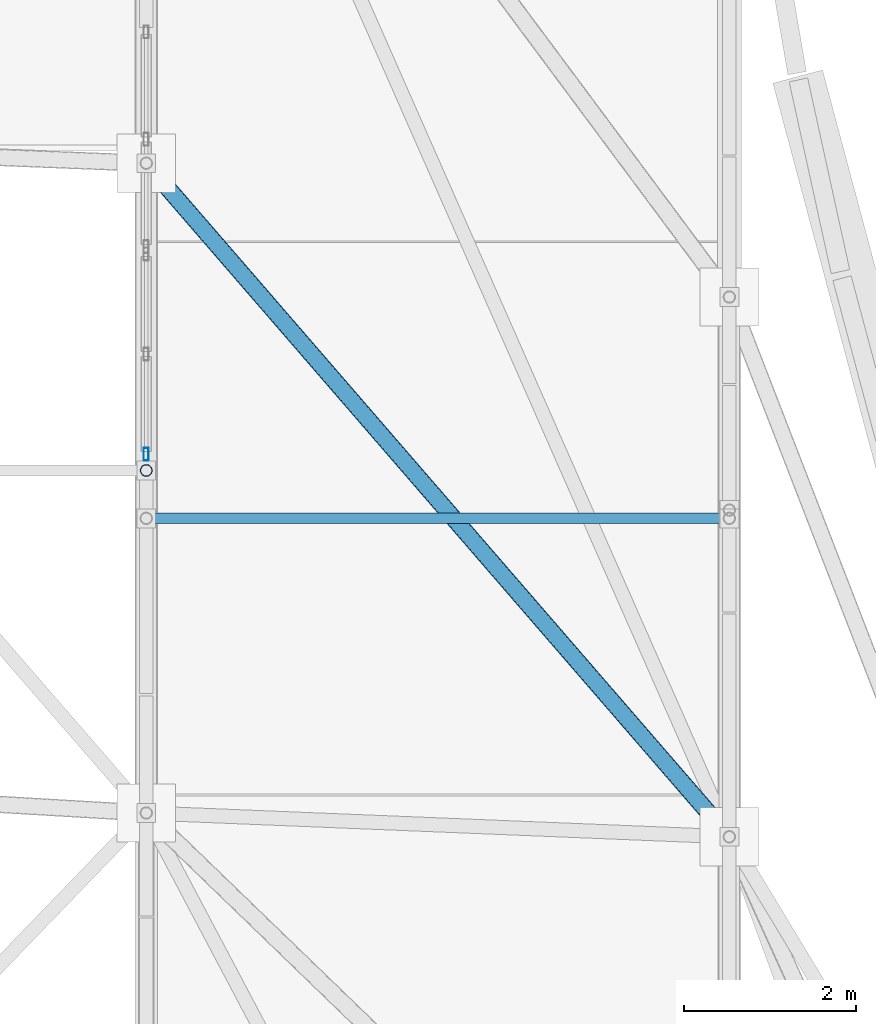
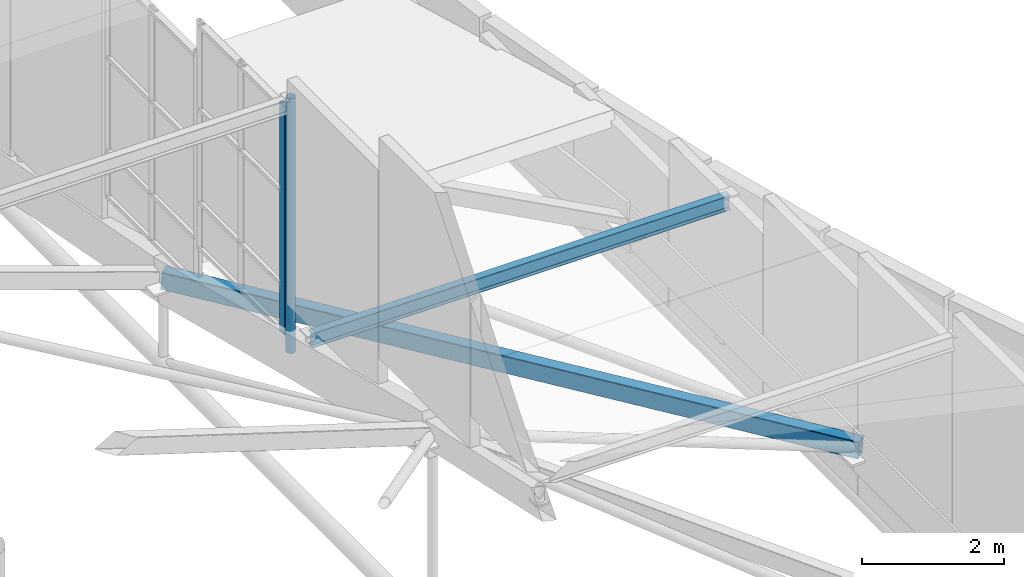
# One storey, part 53 of 188: 4 members, 1 element without a shape of its own.
"""IFC4 building model written with IfcOpenShell, lengths in metres."""

import ifcopenshell
import ifcopenshell.guid

model = None  # the IFC model being written
_history = None  # IfcOwnerHistory: only IFC2X3 demands one
_inside = {}  # id of a spatial element -> (the spatial element, [elements in it])
_under = {}  # id of a project, library or spatial element -> (it, [spatial elements below it])
_declared = {}  # id of a project -> (the project, [libraries it declares])
_typed = {}  # id of a type object -> (the type object, [elements of that type])
_made_of = {}  # id of a material, layer set ... -> (it, [elements and type objects made of it])


def new_model(schema):
    """Start an empty IFC model of exactly this schema.

    Asked for "IFC4X3", IfcOpenShell would pick the latest addendum, in which some entities
    have other attributes; the version numbers below select the first issue.
    IFC2X3 requires an IfcOwnerHistory on every rooted entity: one is made here for all.
    """
    global model, _history
    if schema == "IFC4X3":
        model = ifcopenshell.file(schema_version=(4, 3, 0, 0))
    else:
        model = ifcopenshell.file(schema=schema)
    _inside.clear()
    _under.clear()
    _declared.clear()
    _typed.clear()
    _made_of.clear()
    _history = None
    if model.schema == "IFC2X3":
        org = make("IfcOrganization", Name="unknown")
        user = make(
            "IfcPersonAndOrganization",
            ThePerson=make("IfcPerson", FamilyName="unknown"),
            TheOrganization=org,
        )
        app = make(
            "IfcApplication",
            ApplicationDeveloper=org,
            Version="unknown",
            ApplicationFullName="unknown",
            ApplicationIdentifier="unknown",
        )
        _history = make(
            "IfcOwnerHistory",
            OwningUser=user,
            OwningApplication=app,
            ChangeAction="ADDED",
            CreationDate=0,
        )
    return model


def make(cls, **values):
    """One entity of the class cls with the attributes given. An attribute that is None is left unset."""
    return model.create_entity(
        cls, **{name: value for name, value in values.items() if value is not None}
    )


def rooted(cls, **values):
    """An entity with a GlobalId (a new one), such as an element, a storey or a relation."""
    return make(cls, GlobalId=ifcopenshell.guid.new(), OwnerHistory=_history, **values)


def si_unit(unit_type, name, prefix=None):
    """IfcSIUnit, for example si_unit("LENGTHUNIT", "METRE", prefix="MILLI")."""
    return make("IfcSIUnit", UnitType=unit_type, Prefix=prefix, Name=name)


def assignment(units):
    """IfcUnitAssignment: the units of a project."""
    return None if units is None else make("IfcUnitAssignment", Units=units)


def point(xyz):
    """IfcCartesianPoint."""
    return None if xyz is None else make("IfcCartesianPoint", Coordinates=xyz)


def direction(xyz):
    """IfcDirection."""
    return None if xyz is None else make("IfcDirection", DirectionRatios=xyz)


def frame(location, z_axis=None, x_axis=None):
    """IfcAxis2Placement3D, a coordinate frame: its origin and axes. An axis left out is left unset."""
    return make(
        "IfcAxis2Placement3D",
        Location=point(location),
        Axis=direction(z_axis),
        RefDirection=direction(x_axis),
    )


def frame_2d(location, x_axis=None):
    """IfcAxis2Placement2D, a coordinate frame in the plane: its origin and x axis."""
    return make(
        "IfcAxis2Placement2D", Location=point(location), RefDirection=direction(x_axis)
    )


def origin():
    """The frame at (0, 0, 0) with its axes left unset."""
    return frame((0.0, 0.0, 0.0))


def origin_2d():
    """The frame at (0, 0) in the plane with its x axis left unset."""
    return frame_2d((0.0, 0.0))


def place(relative_to, where):
    """IfcLocalPlacement: puts the frame where relative to a parent placement (None: the world)."""
    return make(
        "IfcLocalPlacement", PlacementRelTo=relative_to, RelativePlacement=where
    )


def context(
    kind, dimensions, precision=None, world=None, true_north=None, identifier=None
):
    """IfcGeometricRepresentationContext, for example the 3D "Model" context."""
    return make(
        "IfcGeometricRepresentationContext",
        ContextIdentifier=identifier,
        ContextType=kind,
        CoordinateSpaceDimension=dimensions,
        Precision=precision,
        WorldCoordinateSystem=world,
        TrueNorth=true_north,
    )


def subcontext(parent, identifier, kind, view, scale=None):
    """IfcGeometricRepresentationSubContext, for example "Body" below "Model"."""
    return make(
        "IfcGeometricRepresentationSubContext",
        ContextIdentifier=identifier,
        ContextType=kind,
        ParentContext=parent,
        TargetScale=scale,
        TargetView=view,
    )


def project(units=None, contexts=None):
    """IfcProject with its units and contexts."""
    return rooted(
        "IfcProject",
        Name="project",
        RepresentationContexts=contexts,
        UnitsInContext=assignment(units),
    )


def spatial(cls, under=None, at=None, **own):
    """A site, building, storey or space (cls), placed at a placement, below another one or the project."""
    s = rooted(cls, ObjectPlacement=at, **own)
    if under is not None:
        _under.setdefault(under.id(), (under, []))[1].append(s)
    return s


def profile(cls, at=None, kind="AREA", **sizes):
    """A parametric profile (cls). Its sizes go by their IFC names, for example OverallWidth=200.0."""
    return make(cls, ProfileType=kind, Position=at, **sizes)


def hollow_rectangle(**sizes):
    """IfcRectangleHollowProfileDef."""
    return profile("IfcRectangleHollowProfileDef", **sizes)


def hollow_circle(**sizes):
    """IfcCircleHollowProfileDef."""
    return profile("IfcCircleHollowProfileDef", **sizes)


def i_section(**sizes):
    """IfcIShapeProfileDef."""
    return profile("IfcIShapeProfileDef", **sizes)


def extrude(swept, where, along, depth):
    """IfcExtrudedAreaSolid: the profile swept, set in the frame where, extruded along a direction by depth."""
    return make(
        "IfcExtrudedAreaSolid",
        SweptArea=swept,
        Position=where,
        ExtrudedDirection=direction(along),
        Depth=depth,
    )


def shape(context_of_items, identifier, shape_type, items):
    """IfcShapeRepresentation: the items that make up one representation, for example the "Body"."""
    return make(
        "IfcShapeRepresentation",
        ContextOfItems=context_of_items,
        RepresentationIdentifier=identifier,
        RepresentationType=shape_type,
        Items=items,
    )


def material(Name=None, Category=None):
    """IfcMaterial."""
    return make("IfcMaterial", Name=Name, Category=Category)


def layer(
    of_material, thickness, ventilated=None, Name=None, Category=None, Priority=None
):
    """IfcMaterialLayer: one layer of a wall or slab, of a material (None: an air gap)."""
    return make(
        "IfcMaterialLayer",
        Material=of_material,
        LayerThickness=thickness,
        IsVentilated=ventilated,
        Name=Name,
        Category=Category,
        Priority=Priority,
    )


def layer_set(layers, Name=None):
    """IfcMaterialLayerSet."""
    return make("IfcMaterialLayerSet", MaterialLayers=layers, LayerSetName=Name)


def material_profile(
    of_material, cross_section, Name=None, Category=None, Priority=None
):
    """IfcMaterialProfile: a cross section and its material."""
    return make(
        "IfcMaterialProfile",
        Name=Name,
        Material=of_material,
        Profile=cross_section,
        Priority=Priority,
        Category=Category,
    )


def profile_set(profiles, Name=None, composite=None):
    """IfcMaterialProfileSet."""
    return make(
        "IfcMaterialProfileSet",
        Name=Name,
        MaterialProfiles=profiles,
        CompositeProfile=composite,
    )


def made_of(thing, what):
    """Note that an element or type object is made of a material, layer set ...; save() writes the relation."""
    if what is not None:
        _made_of.setdefault(what.id(), (what, []))[1].append(thing)
    return thing


def type_object(cls, material=None, **own):
    """A type object (cls), such as IfcWallType, which elements share."""
    return made_of(rooted(cls, **own), material)


def element(
    cls,
    number,
    at=None,
    inside=None,
    cuts=None,
    type_object=None,
    material=None,
    context=None,
    identifier="Body",
    shape_type=None,
    held_by="IfcProductDefinitionShape",
    body=None,
    shapes=None,
    **own,
):
    """One element of the class cls, such as IfcWall. Its Tag is "e" and its number.

    at: its placement. inside: the storey or other place that contains it. cuts: it is an
    opening in that element (IfcRelVoidsElement). A single representation is given by context,
    identifier, shape_type and body (its items); several are given by shapes. held_by: the class
    of the entity that holds the representations. save() writes the other relations.
    """
    e = rooted(cls, Tag="e%d" % number, ObjectPlacement=at, **own)
    if body is not None:
        shapes = [shape(context, identifier, shape_type, body)]
    if shapes is not None:
        e.Representation = make(held_by, Representations=shapes)
    if inside is not None:
        _inside.setdefault(inside.id(), (inside, []))[1].append(e)
    if cuts is not None:
        rooted(
            "IfcRelVoidsElement", RelatingBuildingElement=cuts, RelatedOpeningElement=e
        )
    if type_object is not None:
        _typed.setdefault(type_object.id(), (type_object, []))[1].append(e)
    return made_of(e, material)


def aggregate(whole, parts):
    """IfcRelAggregates: a whole, such as a stair, and the parts it consists of."""
    return rooted("IfcRelAggregates", RelatingObject=whole, RelatedObjects=parts)


def save(model, path):
    """Write the relations noted so far, then the file.

    IfcRelAggregates (storeys below a building ...), IfcRelContainedInSpatialStructure (elements
    in a storey), IfcRelDefinesByType, IfcRelAssociatesMaterial and IfcRelDeclares: one each for
    every whole, place, type object, material and project.
    """
    for whole, parts in _under.values():
        aggregate(whole, parts)
    for where, things in _inside.values():
        rooted(
            "IfcRelContainedInSpatialStructure",
            RelatedElements=things,
            RelatingStructure=where,
        )
    for kind, things in _typed.values():
        rooted("IfcRelDefinesByType", RelatedObjects=things, RelatingType=kind)
    for what, things in _made_of.values():
        rooted("IfcRelAssociatesMaterial", RelatedObjects=things, RelatingMaterial=what)
    for by, libraries in _declared.values():
        rooted("IfcRelDeclares", RelatingContext=by, RelatedDefinitions=libraries)
    model.write(path)


model = new_model("IFC4")

# Units and contexts
model_context = context("Model", 3, precision=1e-05, world=origin(), true_north=direction((0.0, 1.0)))
body_context = subcontext(model_context, "Body", "Model", "MODEL_VIEW")
ifc_project = project(units=[si_unit("LENGTHUNIT", "METRE"), si_unit("AREAUNIT", "SQUARE_METRE"), si_unit("VOLUMEUNIT", "CUBIC_METRE"), si_unit("PLANEANGLEUNIT", "RADIAN"), si_unit("MASSUNIT", "GRAM", prefix="KILO")], contexts=[model_context])

# Site, building, storey
site_placement = place(None, origin())
site = spatial("IfcSite", under=ifc_project, at=site_placement, CompositionType="ELEMENT")
building_placement = place(site_placement, origin())
building = spatial("IfcBuilding", under=site, at=building_placement, Name="Kisaragi Civic Commons", CompositionType="ELEMENT")
storey_placement = place(building_placement, frame((0.0, 0.0, 9.60009765625)))
storey = spatial("IfcBuildingStorey", under=building, at=storey_placement, Name="L02", CompositionType="ELEMENT", Elevation=9.60009765625)

# Curtain wall, member
ifc_material_1 = material(Name="Thermally broken anodized aluminium and low-E double glazing", Category="aluminium")
ifc_layer = layer(ifc_material_1, 0.14990234375, Name="Thermally broken anodized aluminium and low-E double glazing", Category="aluminium")
ifc_layer_set = layer_set([ifc_layer], Name="Thermally broken anodized aluminium and low-E double glazing")
curtain_wall_type = type_object("IfcCurtainWallType", Name="CW-03", PredefinedType="NOTDEFINED", material=ifc_layer_set)
curtain_wall_placement = place(storey_placement, origin())
curtain_wall = element("IfcCurtainWall", 1, at=curtain_wall_placement, inside=storey, type_object=curtain_wall_type, Name="L02 curtain wall CW-03 CW-CL-V1-162", PredefinedType="NOTDEFINED")
ifc_material_profile_1 = material_profile(ifc_material_1, hollow_rectangle(XDim=0.06005859375, YDim=0.14990234375, WallThickness=0.00390625, InnerFilletRadius=0.00390625, OuterFilletRadius=0.008056640625, at=origin_2d()), Name="CWM-60x150x4", Category="aluminium")
ifc_profile_set_1 = profile_set([ifc_material_profile_1], Name="Thermally broken anodized aluminium and low-E double glazing")
member_type_1 = type_object("IfcMemberType", Name="CWM-01", PredefinedType="MULLION", material=ifc_profile_set_1)
member_1_placement = place(storey_placement, frame((20.39990234375, 43.8515625, 2.065185546875), z_axis=(0.0, 0.0, 1.0), x_axis=(-1.0, 0.0, 0.0)))
member_1 = element("IfcMember", 2, at=member_1_placement, type_object=member_type_1, Name="CW-03 mullion 1", PredefinedType="MULLION", context=body_context, shape_type="SweptSolid", body=[
    extrude(hollow_rectangle(XDim=0.06005859375, YDim=0.14990234375, WallThickness=0.00390625, InnerFilletRadius=0.00390625, OuterFilletRadius=0.008056640625, at=origin_2d()), origin(), (0.0, 0.0, 1.0), 3.939208984375),
])
aggregate(curtain_wall, [member_1])

# Members
ifc_material_2 = material(Name="Steel SN490 (SN490B)", Category="steel")
ifc_material_profile_2 = material_profile(ifc_material_2, hollow_rectangle(XDim=0.199951171875, YDim=0.300048828125, WallThickness=0.009033203125, InnerFilletRadius=0.009033203125, OuterFilletRadius=0.01806640625, at=origin_2d()), Name="STKR-300x200x9", Category="steel")
ifc_profile_set_2 = profile_set([ifc_material_profile_2], Name="Steel SN490 (SN490B)")
member_type_2 = type_object("IfcMemberType", Name="GC-02", PredefinedType="CHORD", material=ifc_profile_set_2)
member_2_placement = place(storey_placement, frame((20.39990234375, 47.2451171875, 0.951904296875), z_axis=(0.653631348369, -0.75505649782, -0.051533926005), x_axis=(0.756061118235, 0.654501020239, 0.0)))
element("IfcMember", 3, at=member_2_placement, inside=storey, type_object=member_type_2, Name="V1 wave gridshell chord GC-02 27", PredefinedType="CHORD", context=body_context, shape_type="SweptSolid", body=[
    extrude(hollow_rectangle(XDim=0.199951171875, YDim=0.300048828125, WallThickness=0.009033203125, InnerFilletRadius=0.009033203125, OuterFilletRadius=0.01806640625, at=origin_2d()), origin(), (0.0, 0.0, 1.0), 10.403564453125),
])
ifc_material_3 = material(Name="Steel SN400 (SN400B)", Category="steel")
ifc_material_profile_3 = material_profile(ifc_material_3, i_section(OverallWidth=0.125, OverallDepth=0.25, WebThickness=0.006103515625, FlangeThickness=0.009033203125, FilletRadius=0.008056640625, at=origin_2d()), Name="H-250x125x6x9", Category="steel")
ifc_profile_set_3 = profile_set([ifc_material_profile_3], Name="Steel SN400 (SN400B)")
member_type_3 = type_object("IfcMemberType", Name="PR-01", PredefinedType="PURLIN", material=ifc_profile_set_3)
member_3_placement = place(storey_placement, frame((20.39990234375, 43.103515625, 2.40966796875), z_axis=(1.0, 0.0, 0.0), x_axis=(0.0, 1.0, 0.0)))
element("IfcMember", 4, at=member_3_placement, inside=storey, type_object=member_type_3, Name="V1 wave vault steel purlin 31", PredefinedType="PURLIN", context=body_context, shape_type="SweptSolid", body=[
    extrude(i_section(OverallWidth=0.125, OverallDepth=0.25, WebThickness=0.006103515625, FlangeThickness=0.009033203125, FilletRadius=0.008056640625, at=origin_2d()), origin(), (0.0, 0.0, 1.0), 6.800048828125),
])
ifc_material_profile_4 = material_profile(ifc_material_2, hollow_circle(Radius=0.06982421875, WallThickness=0.006103515625, at=origin_2d()), Name="CHS-139.8x6.0", Category="steel")
ifc_profile_set_4 = profile_set([ifc_material_profile_4], Name="Steel SN490 (SN490B)")
member_type_4 = type_object("IfcMemberType", Name="ST-H1", PredefinedType="STRUT", material=ifc_profile_set_4)
member_4_placement = place(storey_placement, frame((20.39990234375, 43.66162109375, 1.861572265625), z_axis=(0.0, 0.0, 1.0), x_axis=(1.0, 0.0, 0.0)))
element("IfcMember", 5, at=member_4_placement, inside=storey, type_object=member_type_4, Name="V1 clerestory monitor horizontal tie strut 3.3.6", PredefinedType="STRUT", context=body_context, shape_type="SweptSolid", body=[
    extrude(hollow_circle(Radius=0.06982421875, WallThickness=0.006103515625, at=origin_2d()), origin(), (0.0, 0.0, 1.0), 4.38134765625),
])

save(model, "model.ifc")
